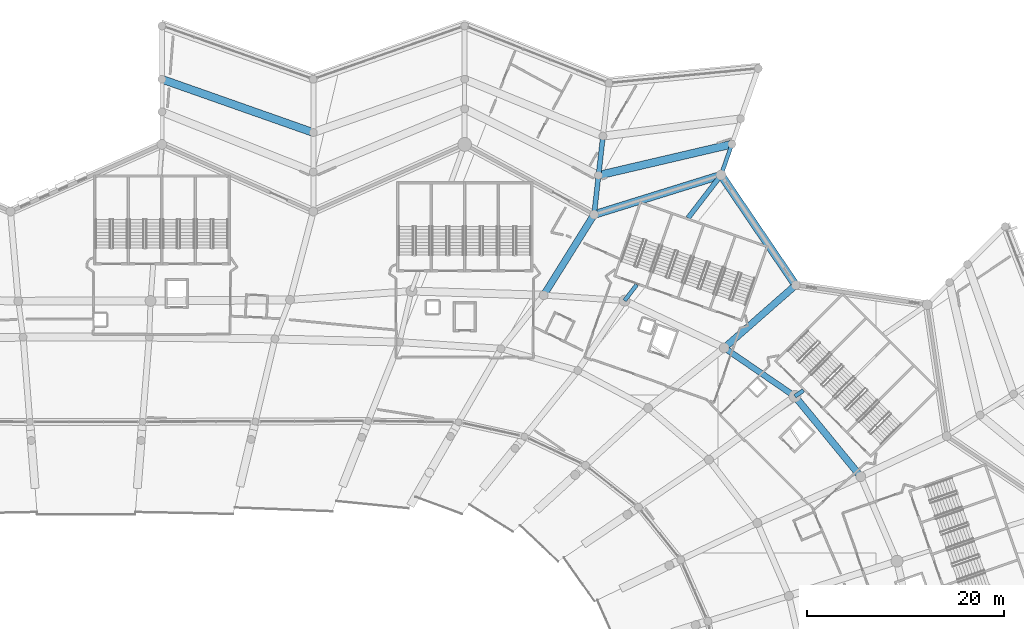
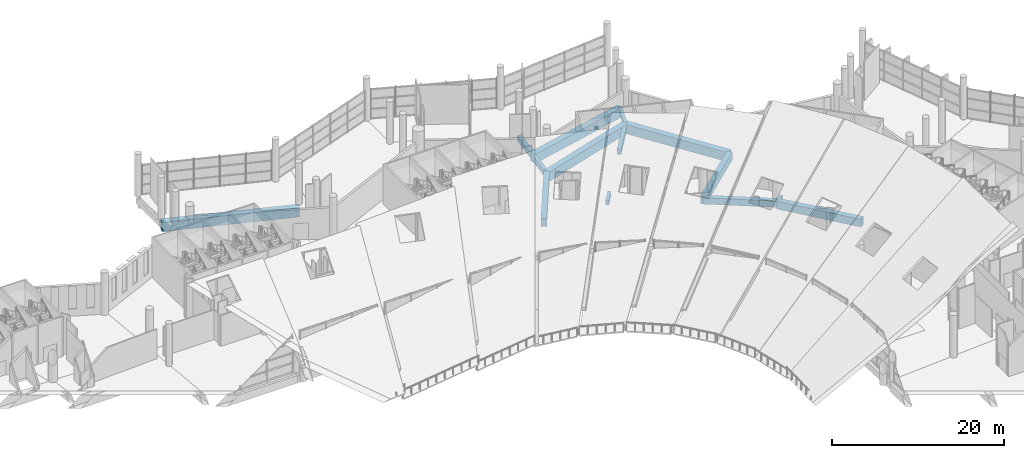
# One storey, part 90 of 249: 14 beams.
"""IFC4 building model written with IfcOpenShell, lengths in metres."""

import ifcopenshell
import ifcopenshell.guid

model = None  # the IFC model being written
_history = None  # IfcOwnerHistory: only IFC2X3 demands one
_inside = {}  # id of a spatial element -> (the spatial element, [elements in it])
_under = {}  # id of a project, library or spatial element -> (it, [spatial elements below it])
_declared = {}  # id of a project -> (the project, [libraries it declares])
_typed = {}  # id of a type object -> (the type object, [elements of that type])
_made_of = {}  # id of a material, layer set ... -> (it, [elements and type objects made of it])


def new_model(schema):
    """Start an empty IFC model of exactly this schema.

    Asked for "IFC4X3", IfcOpenShell would pick the latest addendum, in which some entities
    have other attributes; the version numbers below select the first issue.
    IFC2X3 requires an IfcOwnerHistory on every rooted entity: one is made here for all.
    """
    global model, _history
    if schema == "IFC4X3":
        model = ifcopenshell.file(schema_version=(4, 3, 0, 0))
    else:
        model = ifcopenshell.file(schema=schema)
    _inside.clear()
    _under.clear()
    _declared.clear()
    _typed.clear()
    _made_of.clear()
    _history = None
    if model.schema == "IFC2X3":
        org = make("IfcOrganization", Name="unknown")
        user = make(
            "IfcPersonAndOrganization",
            ThePerson=make("IfcPerson", FamilyName="unknown"),
            TheOrganization=org,
        )
        app = make(
            "IfcApplication",
            ApplicationDeveloper=org,
            Version="unknown",
            ApplicationFullName="unknown",
            ApplicationIdentifier="unknown",
        )
        _history = make(
            "IfcOwnerHistory",
            OwningUser=user,
            OwningApplication=app,
            ChangeAction="ADDED",
            CreationDate=0,
        )
    return model


def make(cls, **values):
    """One entity of the class cls with the attributes given. An attribute that is None is left unset."""
    return model.create_entity(
        cls, **{name: value for name, value in values.items() if value is not None}
    )


def rooted(cls, **values):
    """An entity with a GlobalId (a new one), such as an element, a storey or a relation."""
    return make(cls, GlobalId=ifcopenshell.guid.new(), OwnerHistory=_history, **values)


def si_unit(unit_type, name, prefix=None):
    """IfcSIUnit, for example si_unit("LENGTHUNIT", "METRE", prefix="MILLI")."""
    return make("IfcSIUnit", UnitType=unit_type, Prefix=prefix, Name=name)


def assignment(units):
    """IfcUnitAssignment: the units of a project."""
    return None if units is None else make("IfcUnitAssignment", Units=units)


def point(xyz):
    """IfcCartesianPoint."""
    return None if xyz is None else make("IfcCartesianPoint", Coordinates=xyz)


def direction(xyz):
    """IfcDirection."""
    return None if xyz is None else make("IfcDirection", DirectionRatios=xyz)


def frame(location, z_axis=None, x_axis=None):
    """IfcAxis2Placement3D, a coordinate frame: its origin and axes. An axis left out is left unset."""
    return make(
        "IfcAxis2Placement3D",
        Location=point(location),
        Axis=direction(z_axis),
        RefDirection=direction(x_axis),
    )


def frame_2d(location, x_axis=None):
    """IfcAxis2Placement2D, a coordinate frame in the plane: its origin and x axis."""
    return make(
        "IfcAxis2Placement2D", Location=point(location), RefDirection=direction(x_axis)
    )


def origin():
    """The frame at (0, 0, 0) with its axes left unset."""
    return frame((0.0, 0.0, 0.0))


def origin_2d():
    """The frame at (0, 0) in the plane with its x axis left unset."""
    return frame_2d((0.0, 0.0))


def place(relative_to, where):
    """IfcLocalPlacement: puts the frame where relative to a parent placement (None: the world)."""
    return make(
        "IfcLocalPlacement", PlacementRelTo=relative_to, RelativePlacement=where
    )


def context(
    kind, dimensions, precision=None, world=None, true_north=None, identifier=None
):
    """IfcGeometricRepresentationContext, for example the 3D "Model" context."""
    return make(
        "IfcGeometricRepresentationContext",
        ContextIdentifier=identifier,
        ContextType=kind,
        CoordinateSpaceDimension=dimensions,
        Precision=precision,
        WorldCoordinateSystem=world,
        TrueNorth=true_north,
    )


def subcontext(parent, identifier, kind, view, scale=None):
    """IfcGeometricRepresentationSubContext, for example "Body" below "Model"."""
    return make(
        "IfcGeometricRepresentationSubContext",
        ContextIdentifier=identifier,
        ContextType=kind,
        ParentContext=parent,
        TargetScale=scale,
        TargetView=view,
    )


def project(units=None, contexts=None):
    """IfcProject with its units and contexts."""
    return rooted(
        "IfcProject",
        Name="project",
        RepresentationContexts=contexts,
        UnitsInContext=assignment(units),
    )


def spatial(cls, under=None, at=None, **own):
    """A site, building, storey or space (cls), placed at a placement, below another one or the project."""
    s = rooted(cls, ObjectPlacement=at, **own)
    if under is not None:
        _under.setdefault(under.id(), (under, []))[1].append(s)
    return s


def profile(cls, at=None, kind="AREA", **sizes):
    """A parametric profile (cls). Its sizes go by their IFC names, for example OverallWidth=200.0."""
    return make(cls, ProfileType=kind, Position=at, **sizes)


def rectangle(**sizes):
    """IfcRectangleProfileDef."""
    return profile("IfcRectangleProfileDef", **sizes)


def extrude(swept, where, along, depth):
    """IfcExtrudedAreaSolid: the profile swept, set in the frame where, extruded along a direction by depth."""
    return make(
        "IfcExtrudedAreaSolid",
        SweptArea=swept,
        Position=where,
        ExtrudedDirection=direction(along),
        Depth=depth,
    )


def shape(context_of_items, identifier, shape_type, items):
    """IfcShapeRepresentation: the items that make up one representation, for example the "Body"."""
    return make(
        "IfcShapeRepresentation",
        ContextOfItems=context_of_items,
        RepresentationIdentifier=identifier,
        RepresentationType=shape_type,
        Items=items,
    )


def material(Name=None, Category=None):
    """IfcMaterial."""
    return make("IfcMaterial", Name=Name, Category=Category)


def material_profile(
    of_material, cross_section, Name=None, Category=None, Priority=None
):
    """IfcMaterialProfile: a cross section and its material."""
    return make(
        "IfcMaterialProfile",
        Name=Name,
        Material=of_material,
        Profile=cross_section,
        Priority=Priority,
        Category=Category,
    )


def profile_set(profiles, Name=None, composite=None):
    """IfcMaterialProfileSet."""
    return make(
        "IfcMaterialProfileSet",
        Name=Name,
        MaterialProfiles=profiles,
        CompositeProfile=composite,
    )


def made_of(thing, what):
    """Note that an element or type object is made of a material, layer set ...; save() writes the relation."""
    if what is not None:
        _made_of.setdefault(what.id(), (what, []))[1].append(thing)
    return thing


def type_object(cls, material=None, **own):
    """A type object (cls), such as IfcWallType, which elements share."""
    return made_of(rooted(cls, **own), material)


def element(
    cls,
    number,
    at=None,
    inside=None,
    cuts=None,
    type_object=None,
    material=None,
    context=None,
    identifier="Body",
    shape_type=None,
    held_by="IfcProductDefinitionShape",
    body=None,
    shapes=None,
    **own,
):
    """One element of the class cls, such as IfcWall. Its Tag is "e" and its number.

    at: its placement. inside: the storey or other place that contains it. cuts: it is an
    opening in that element (IfcRelVoidsElement). A single representation is given by context,
    identifier, shape_type and body (its items); several are given by shapes. held_by: the class
    of the entity that holds the representations. save() writes the other relations.
    """
    e = rooted(cls, Tag="e%d" % number, ObjectPlacement=at, **own)
    if body is not None:
        shapes = [shape(context, identifier, shape_type, body)]
    if shapes is not None:
        e.Representation = make(held_by, Representations=shapes)
    if inside is not None:
        _inside.setdefault(inside.id(), (inside, []))[1].append(e)
    if cuts is not None:
        rooted(
            "IfcRelVoidsElement", RelatingBuildingElement=cuts, RelatedOpeningElement=e
        )
    if type_object is not None:
        _typed.setdefault(type_object.id(), (type_object, []))[1].append(e)
    return made_of(e, material)


def aggregate(whole, parts):
    """IfcRelAggregates: a whole, such as a stair, and the parts it consists of."""
    return rooted("IfcRelAggregates", RelatingObject=whole, RelatedObjects=parts)


def save(model, path):
    """Write the relations noted so far, then the file.

    IfcRelAggregates (storeys below a building ...), IfcRelContainedInSpatialStructure (elements
    in a storey), IfcRelDefinesByType, IfcRelAssociatesMaterial and IfcRelDeclares: one each for
    every whole, place, type object, material and project.
    """
    for whole, parts in _under.values():
        aggregate(whole, parts)
    for where, things in _inside.values():
        rooted(
            "IfcRelContainedInSpatialStructure",
            RelatedElements=things,
            RelatingStructure=where,
        )
    for kind, things in _typed.values():
        rooted("IfcRelDefinesByType", RelatedObjects=things, RelatingType=kind)
    for what, things in _made_of.values():
        rooted("IfcRelAssociatesMaterial", RelatedObjects=things, RelatingMaterial=what)
    for by, libraries in _declared.values():
        rooted("IfcRelDeclares", RelatingContext=by, RelatedDefinitions=libraries)
    model.write(path)


model = new_model("IFC4")

# Units and contexts
model_context = context("Model", 3, precision=1e-05, world=origin(), true_north=direction((0.0, 1.0)))
body_context = subcontext(model_context, "Body", "Model", "MODEL_VIEW")
ifc_project = project(units=[si_unit("LENGTHUNIT", "METRE"), si_unit("AREAUNIT", "SQUARE_METRE"), si_unit("VOLUMEUNIT", "CUBIC_METRE"), si_unit("PLANEANGLEUNIT", "RADIAN"), si_unit("MASSUNIT", "GRAM", prefix="KILO")], contexts=[model_context])

# Site, building, storey
site_placement = place(None, origin())
site = spatial("IfcSite", under=ifc_project, at=site_placement, CompositionType="ELEMENT")
building_placement = place(site_placement, origin())
building = spatial("IfcBuilding", under=site, at=building_placement, Name="Meseta Stadium", CompositionType="ELEMENT")
storey_placement = place(building_placement, frame((0.0, 0.0, 12.0)))
storey = spatial("IfcBuildingStorey", under=building, at=storey_placement, Name="L02", CompositionType="ELEMENT", Elevation=12.0)

# Beams
ifc_material_1 = material(Name="Concrete C40/50", Category="concrete")
ifc_material_profile_1 = material_profile(ifc_material_1, rectangle(XDim=0.39990234375, YDim=0.60009765625, at=origin_2d()), Name="RC 400x600")
ifc_profile_set_1 = profile_set([ifc_material_profile_1], Name="Concrete C40/50")
beam_type_1 = type_object("IfcBeamType", Name="RC beam 400x600", PredefinedType="BEAM", material=ifc_profile_set_1)
beam_1_placement = place(storey_placement, frame((71.775390625, 79.888916015625, -0.64990234375), z_axis=(0.821959126475, 0.569546481337, 0.0), x_axis=(-0.569546481337, 0.821959126475, 0.0)))
element("IfcBeam", 1, at=beam_1_placement, inside=storey, type_object=beam_type_1, Name="L02 radial beam frame 12 line P to R", PredefinedType="BEAM", context=body_context, shape_type="SweptSolid", body=[
    extrude(rectangle(XDim=0.39990234375, YDim=0.60009765625, at=origin_2d()), origin(), (0.0, 0.0, 1.0), 1.05615234375),
])
beam_2_placement = place(storey_placement, frame((54.523193359375, 89.579345703125, -0.64990234375), z_axis=(0.60958282029, 0.792722388486, 0.0), x_axis=(-0.792722388486, 0.60958282029, 0.0)))
element("IfcBeam", 2, at=beam_2_placement, inside=storey, type_object=beam_type_1, Name="L02 radial beam frame 14 line P to R", PredefinedType="BEAM", context=body_context, shape_type="SweptSolid", body=[
    extrude(rectangle(XDim=0.39990234375, YDim=0.60009765625, at=origin_2d()), origin(), (0.0, 0.0, 1.0), 2.029052734375),
])
beam_3_placement = place(storey_placement, frame((64.297607421875, 102.291015625, -0.64990234375), z_axis=(0.330229180525, 0.943900783096, 0.0), x_axis=(-0.943900783096, 0.330229180525, 0.0)))
element("IfcBeam", 3, at=beam_3_placement, inside=storey, type_object=beam_type_1, Name="L02 radial beam frame 14 line R to M", PredefinedType="BEAM", context=body_context, shape_type="SweptSolid", body=[
    extrude(rectangle(XDim=0.39990234375, YDim=0.60009765625, at=origin_2d()), origin(), (0.0, 0.0, 1.0), 3.31884765625),
])
ifc_material_2 = material(Name="Concrete C40/50", Category="concrete")
ifc_material_profile_2 = material_profile(ifc_material_2, rectangle(XDim=0.5, YDim=0.75, at=origin_2d()), Name="RC 500x750")
ifc_profile_set_2 = profile_set([ifc_material_profile_2], Name="Concrete C40/50")
beam_type_2 = type_object("IfcBeamType", Name="RC beam 500x750", PredefinedType="BEAM", material=ifc_profile_set_2)
beam_4_placement = place(storey_placement, frame((60.95947265625, 97.949951171875, -0.72509765625), z_axis=(0.609579324643, 0.792725076536, 0.0), x_axis=(-0.792725076536, 0.609579324643, 0.0)))
element("IfcBeam", 4, at=beam_4_placement, inside=storey, type_object=beam_type_2, Name="L02 radial beam frame 14 line P to R", PredefinedType="BEAM", context=body_context, shape_type="SweptSolid", body=[
    extrude(rectangle(XDim=0.5, YDim=0.75, at=origin_2d()), origin(), (0.0, 0.0, 1.0), 5.47607421875),
])
for number, where, z_axis, x_axis, name in (
    (5, (51.44140625, 98.29443359375, -0.72509765625), (0.111998942203, 0.993708325891, 0.0), (-0.993708325891, 0.111998942203, 0.0), "L02 radial beam frame 15 line R to M"),
    (6, (51.889404296875, 102.269287109375, -0.72509765625), (0.111938672346, 0.993715116939, 0.0), (-0.993715116939, 0.111938672346, 0.0), "L02 radial beam frame 15 line M to Q"),
):
    element("IfcBeam", number, at=place(storey_placement, frame(where, z_axis=z_axis, x_axis=x_axis)), inside=storey, type_object=beam_type_2, Name=name, PredefinedType="BEAM", context=body_context, shape_type="SweptSolid", body=[
        extrude(rectangle(XDim=0.5, YDim=0.75, at=origin_2d()), origin(), (0.0, 0.0, 1.0), 4.0),
    ])
ifc_material_3 = material(Name="Concrete C40/50", Category="concrete")
ifc_material_profile_3 = material_profile(ifc_material_3, rectangle(XDim=0.60009765625, YDim=0.89990234375, at=origin_2d()), Name="RC 600x900")
ifc_profile_set_3 = profile_set([ifc_material_profile_3], Name="Concrete C40/50")
beam_type_3 = type_object("IfcBeamType", Name="RC beam 600x900", PredefinedType="BEAM", material=ifc_profile_set_3)
beam_5_placement = place(storey_placement, frame((71.775390625, 79.888916015625, -0.800048828125), z_axis=(-0.824813247637, 0.565405258662, 0.0), x_axis=(-0.565405258662, -0.824813247637, 0.0)))
element("IfcBeam", 7, at=beam_5_placement, inside=storey, type_object=beam_type_3, Name="L02 ring beam frame 12 line P", PredefinedType="BEAM", context=body_context, shape_type="SweptSolid", body=[
    extrude(rectangle(XDim=0.60009765625, YDim=0.89990234375, at=origin_2d()), origin(), (0.0, 0.0, 1.0), 8.672607421875),
])
ifc_material_4 = material(Name="Concrete C40/50", Category="concrete")
ifc_material_profile_4 = material_profile(ifc_material_4, rectangle(XDim=0.699951171875, YDim=1.10009765625, at=origin_2d()), Name="RC 700x1100")
ifc_profile_set_4 = profile_set([ifc_material_profile_4], Name="Concrete C40/50")
beam_type_4 = type_object("IfcBeamType", Name="RC beam 700x1100", PredefinedType="BEAM", material=ifc_profile_set_4)
beam_6_placement = place(storey_placement, frame((78.4453125, 71.756103515625, -0.89990234375), z_axis=(-0.634137323649, 0.773220443829, 0.0), x_axis=(-0.773220443829, -0.634137323649, 0.0)))
element("IfcBeam", 8, at=beam_6_placement, inside=storey, type_object=beam_type_4, Name="L02 ring beam frame 11 line P", PredefinedType="BEAM", context=body_context, shape_type="SweptSolid", body=[
    extrude(rectangle(XDim=0.699951171875, YDim=1.10009765625, at=origin_2d()), origin(), (0.0, 0.0, 1.0), 10.51806640625),
])
beam_7_placement = place(storey_placement, frame((64.6220703125, 84.79248046875, -0.89990234375), z_axis=(0.751128714449, 0.66015578035, 0.0), x_axis=(-0.66015578035, 0.751128714449, 0.0)))
element("IfcBeam", 9, at=beam_7_placement, inside=storey, type_object=beam_type_4, Name="L02 radial beam frame 13 line P to R", PredefinedType="BEAM", context=body_context, shape_type="SweptSolid", body=[
    extrude(rectangle(XDim=0.699951171875, YDim=1.10009765625, at=origin_2d()), origin(), (0.0, 0.0, 1.0), 9.631591796875),
])
beam_8_placement = place(storey_placement, frame((46.333251953125, 90.126220703125, -0.89990234375), z_axis=(0.530224433937, 0.847857328597, 0.0), x_axis=(-0.847857328597, 0.530224433937, 0.0)))
element("IfcBeam", 10, at=beam_8_placement, inside=storey, type_object=beam_type_4, Name="L02 radial beam frame 15 line P to R", PredefinedType="BEAM", context=body_context, shape_type="SweptSolid", body=[
    extrude(rectangle(XDim=0.699951171875, YDim=1.10009765625, at=origin_2d()), origin(), (0.0, 0.0, 1.0), 9.634033203125),
])
ifc_material_5 = material(Name="Concrete C40/50", Category="concrete")
ifc_material_profile_5 = material_profile(ifc_material_5, rectangle(XDim=0.800048828125, YDim=1.300048828125, at=origin_2d()), Name="RC 800x1300")
ifc_profile_set_5 = profile_set([ifc_material_profile_5], Name="Concrete C40/50")
beam_type_5 = type_object("IfcBeamType", Name="RC beam 800x1300", PredefinedType="BEAM", material=ifc_profile_set_5)
beam_9_placement = place(storey_placement, frame((71.856689453125, 91.15087890625, -1.0), z_axis=(-0.561486340317, 0.827486005705, 0.0), x_axis=(-0.827486005705, -0.561486340317, 0.0)))
element("IfcBeam", 11, at=beam_9_placement, inside=storey, type_object=beam_type_5, Name="L02 ring beam frame 13 line R", PredefinedType="BEAM", context=body_context, shape_type="SweptSolid", body=[
    extrude(rectangle(XDim=0.800048828125, YDim=1.300048828125, at=origin_2d()), origin(), (0.0, 0.0, 1.0), 13.462646484375),
])
beam_10_placement = place(storey_placement, frame((64.297607421875, 102.291015625, -1.0), z_axis=(-0.954922594045, -0.296854913016, 0.0), x_axis=(0.296854913016, -0.954922594045, 0.0)))
element("IfcBeam", 12, at=beam_10_placement, inside=storey, type_object=beam_type_5, Name="L02 ring beam frame 14 line R", PredefinedType="BEAM", context=body_context, shape_type="SweptSolid", body=[
    extrude(rectangle(XDim=0.800048828125, YDim=1.300048828125, at=origin_2d()), origin(), (0.0, 0.0, 1.0), 13.463134765625),
])
beam_11_placement = place(storey_placement, frame((65.3935546875, 105.423583984375, -1.0), z_axis=(-0.973788071175, -0.227457232108, 0.0), x_axis=(0.227457232108, -0.973788071175, 0.0)))
element("IfcBeam", 13, at=beam_11_placement, inside=storey, type_object=beam_type_5, Name="L02 ring beam frame 14 line M", PredefinedType="BEAM", context=body_context, shape_type="SweptSolid", body=[
    extrude(rectangle(XDim=0.800048828125, YDim=1.300048828125, at=origin_2d()), origin(), (0.0, 0.0, 1.0), 13.86767578125),
])
beam_12_placement = place(storey_placement, frame((23.0, 106.60009765625, -1.0), z_axis=(-0.943218573019, 0.332172731439, 0.0), x_axis=(-0.332172731439, -0.943218573019, 0.0)))
element("IfcBeam", 14, at=beam_12_placement, inside=storey, type_object=beam_type_5, Name="L02 ring beam frame 17 line Q", PredefinedType="BEAM", context=body_context, shape_type="SweptSolid", body=[
    extrude(rectangle(XDim=0.800048828125, YDim=1.300048828125, at=origin_2d()), origin(), (0.0, 0.0, 1.0), 16.25634765625),
])

save(model, "model.ifc")
